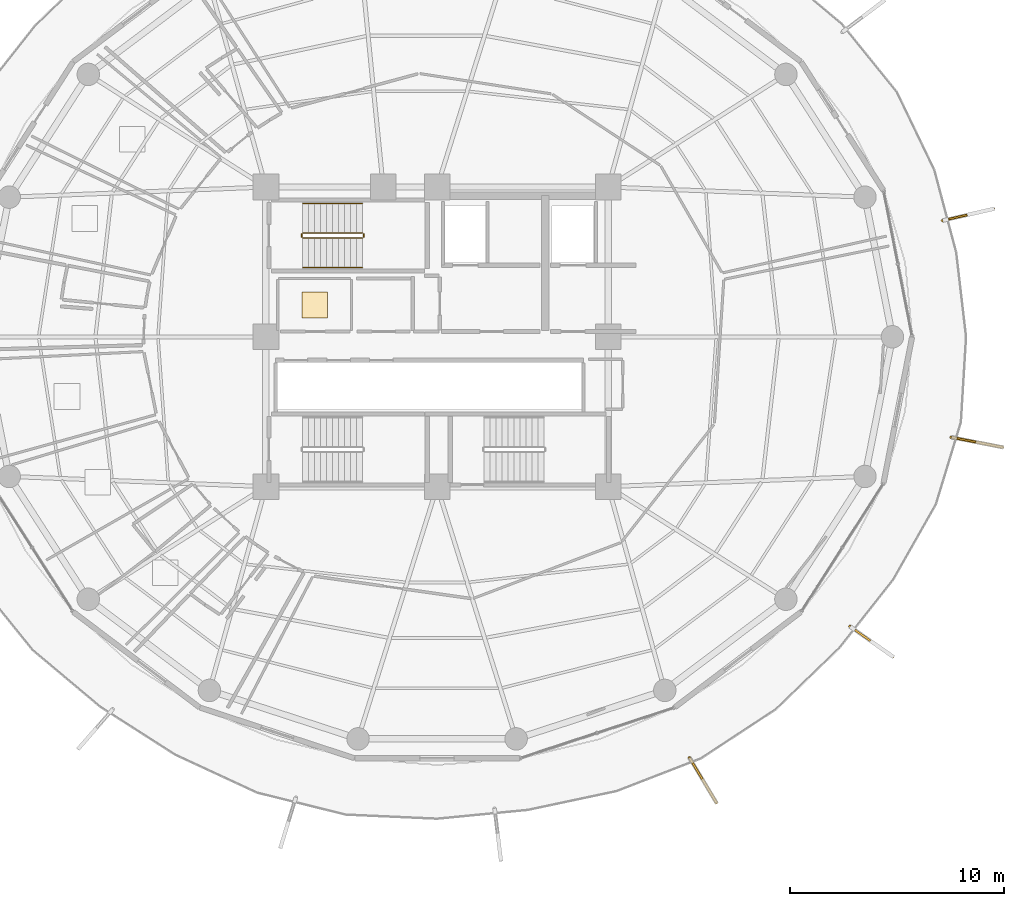
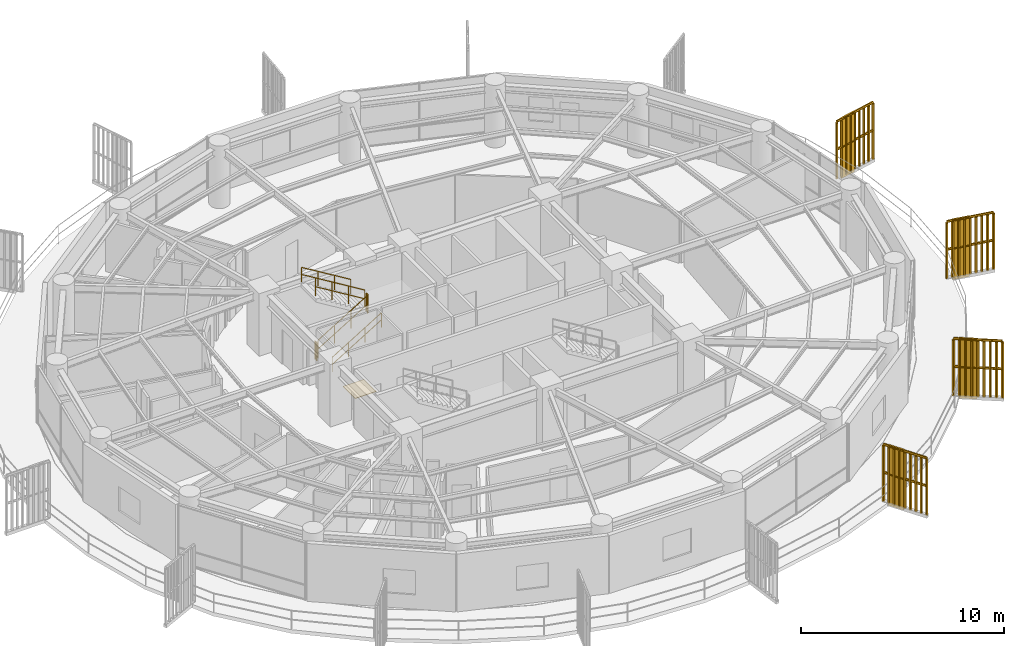
# One storey, part 30 of 31: 10 railings, 4 shading devices, 1 covering.
"""IFC4 building model written with IfcOpenShell, lengths in metres."""

from ifc_helpers import new_model, si_unit, direction, frame, origin, origin_2d, place, context, subcontext, project, spatial, polyline, rectangle, outline, extrude, source, transform, mapped, material, layer, layer_set, type_object, element, save


model = new_model("IFC4")

# Units and contexts
model_context = context("Model", 3, precision=1e-05, world=origin(), true_north=direction((0.0, 1.0)))
body_context = subcontext(model_context, "Body", "Model", "MODEL_VIEW")
ifc_project = project(units=[si_unit("LENGTHUNIT", "METRE"), si_unit("AREAUNIT", "SQUARE_METRE"), si_unit("VOLUMEUNIT", "CUBIC_METRE"), si_unit("PLANEANGLEUNIT", "RADIAN"), si_unit("MASSUNIT", "GRAM", prefix="KILO")], contexts=[model_context])

# Site, building, storey
site_placement = place(None, origin())
site = spatial("IfcSite", under=ifc_project, at=site_placement, CompositionType="ELEMENT")
building_placement = place(site_placement, origin())
building = spatial("IfcBuilding", under=site, at=building_placement, Name="Kelanora Arch Commons", CompositionType="ELEMENT")
storey_placement = place(building_placement, frame((0.0, 0.0, 200.699951171875)))
storey = spatial("IfcBuildingStorey", under=building, at=storey_placement, Name="L51", CompositionType="ELEMENT", Elevation=200.699951171875)

# Railings
ifc_material_1 = material(Name="Anodised bronze vertical shading fin rib assembly")
railing_type_1 = type_object("IfcRailingType", Name="RAIL-FIN-BRZ", PredefinedType="BALUSTRADE", material=ifc_material_1)
railing_1_placement = place(storey_placement, frame((93.299560546875, 44.460205078125, -0.02001953125)))
element("IfcRailing", 1, at=railing_1_placement, inside=storey, type_object=railing_type_1, Name="Sweeping Bronze Vertical Fin Blade L51-00", PredefinedType="BALUSTRADE", context=body_context, shape_type="SweptSolid", body=[
    extrude(outline(polyline([(0.06982421875, 0.0), (0.034912109375, 0.060546875), (-0.034912109375, 0.060546875), (-0.06982421875, 0.0), (-0.034912109375, -0.060546875), (0.034912109375, -0.060546875), (0.06982421875, 0.0)])), frame((0.0, 0.0, 3.419921875), z_axis=(0.81860809802, -0.574352489205, 0.0), x_axis=(0.574352489205, 0.81860809802, 0.0)), (0.0, 0.0, 1.0), 2.428955078125),
    extrude(outline(polyline([(0.06982421875, 0.0), (0.034912109375, 0.060546875), (-0.034912109375, 0.060546875), (-0.06982421875, 0.0), (-0.034912109375, -0.060546875), (0.034912109375, -0.060546875), (0.06982421875, 0.0)])), frame((0.0, 0.0, 1.7451171875), z_axis=(0.81860809802, -0.574352489205, 0.0), x_axis=(0.574352489205, 0.81860809802, 0.0)), (0.0, 0.0, 1.0), 2.428955078125),
    extrude(outline(polyline([(0.080078125, 0.0), (0.0400390625, 0.0693359375), (-0.0400390625, 0.0693359375), (-0.080078125, 0.0), (-0.0400390625, -0.0693359375), (0.0400390625, -0.0693359375), (0.080078125, 0.0)])), origin(), (0.0, 0.0, 1.0), 3.35009765625),
    extrude(outline(polyline([(0.080078125, 0.0), (0.0400390625, 0.0693359375), (-0.0400390625, 0.0693359375), (-0.080078125, 0.0), (-0.0400390625, -0.0693359375), (0.0400390625, -0.0693359375), (0.080078125, 0.0)])), frame((0.24853515625, -0.17431640625, 0.0)), (0.0, 0.0, 1.0), 3.35009765625),
    extrude(outline(polyline([(0.080078125, 0.0), (0.0400390625, 0.0693359375), (-0.0400390625, 0.0693359375), (-0.080078125, 0.0), (-0.0400390625, -0.0693359375), (0.0400390625, -0.0693359375), (0.080078125, 0.0)])), frame((0.4970703125, -0.3486328125, 0.0)), (0.0, 0.0, 1.0), 3.35009765625),
    extrude(outline(polyline([(0.080078125, 0.0), (0.0400390625, 0.0693359375), (-0.0400390625, 0.0693359375), (-0.080078125, 0.0), (-0.0400390625, -0.0693359375), (0.0400390625, -0.0693359375), (0.080078125, 0.0)])), frame((0.74560546875, -0.523193359375, 0.0)), (0.0, 0.0, 1.0), 3.35009765625),
    extrude(outline(polyline([(0.080078125, 0.0), (0.0400390625, 0.0693359375), (-0.0400390625, 0.0693359375), (-0.080078125, 0.0), (-0.0400390625, -0.0693359375), (0.0400390625, -0.0693359375), (0.080078125, 0.0)])), frame((0.994140625, -0.697509765625, 0.0)), (0.0, 0.0, 1.0), 3.35009765625),
    extrude(outline(polyline([(0.080078125, 0.0), (0.0400390625, 0.0693359375), (-0.0400390625, 0.0693359375), (-0.080078125, 0.0), (-0.0400390625, -0.0693359375), (0.0400390625, -0.0693359375), (0.080078125, 0.0)])), frame((1.24267578125, -0.871826171875, 0.0)), (0.0, 0.0, 1.0), 3.35009765625),
    extrude(outline(polyline([(0.080078125, 0.0), (0.0400390625, 0.0693359375), (-0.0400390625, 0.0693359375), (-0.080078125, 0.0), (-0.0400390625, -0.0693359375), (0.0400390625, -0.0693359375), (0.080078125, 0.0)])), frame((1.4912109375, -1.04638671875, 0.0)), (0.0, 0.0, 1.0), 3.35009765625),
    extrude(outline(polyline([(0.080078125, 0.0), (0.0400390625, 0.0693359375), (-0.0400390625, 0.0693359375), (-0.080078125, 0.0), (-0.0400390625, -0.0693359375), (0.0400390625, -0.0693359375), (0.080078125, 0.0)])), frame((1.73974609375, -1.220703125, 0.0)), (0.0, 0.0, 1.0), 3.35009765625),
    extrude(outline(polyline([(0.080078125, 0.0), (0.0400390625, 0.0693359375), (-0.0400390625, 0.0693359375), (-0.080078125, 0.0), (-0.0400390625, -0.0693359375), (0.0400390625, -0.0693359375), (0.080078125, 0.0)])), frame((1.98828125, -1.39501953125, 0.0)), (0.0, 0.0, 1.0), 3.35009765625),
])
railing_2_placement = place(storey_placement, frame((98.029296875, 53.306640625, -0.02001953125)))
element("IfcRailing", 2, at=railing_2_placement, inside=storey, type_object=railing_type_1, Name="Sweeping Bronze Vertical Fin Blade L51-01", PredefinedType="BALUSTRADE", context=body_context, shape_type="SweptSolid", body=[
    extrude(outline(polyline([(0.06982421875, 0.0), (0.034912109375, 0.060546875), (-0.034912109375, 0.060546875), (-0.06982421875, 0.0), (-0.034912109375, -0.060546875), (0.034912109375, -0.060546875), (0.06982421875, 0.0)])), frame((0.0, 0.0, 3.419921875), z_axis=(0.98145601404, -0.19168748656, 0.0), x_axis=(0.19168748656, 0.98145601404, 0.0)), (0.0, 0.0, 1.0), 2.4287109375),
    extrude(outline(polyline([(0.06982421875, 0.0), (0.034912109375, 0.060546875), (-0.034912109375, 0.060546875), (-0.06982421875, 0.0), (-0.034912109375, -0.060546875), (0.034912109375, -0.060546875), (0.06982421875, 0.0)])), frame((0.0, 0.0, 1.7451171875), z_axis=(0.98145601404, -0.19168748656, 0.0), x_axis=(0.19168748656, 0.98145601404, 0.0)), (0.0, 0.0, 1.0), 2.4287109375),
    extrude(outline(polyline([(0.080078125, 0.0), (0.0400390625, 0.0693359375), (-0.0400390625, 0.0693359375), (-0.080078125, 0.0), (-0.0400390625, -0.0693359375), (0.0400390625, -0.0693359375), (0.080078125, 0.0)])), origin(), (0.0, 0.0, 1.0), 3.35009765625),
    extrude(outline(polyline([(0.080078125, 0.0), (0.0400390625, 0.0693359375), (-0.0400390625, 0.0693359375), (-0.080078125, 0.0), (-0.0400390625, -0.0693359375), (0.0400390625, -0.0693359375), (0.080078125, 0.0)])), frame((0.2978515625, -0.05810546875, 0.0)), (0.0, 0.0, 1.0), 3.35009765625),
    extrude(outline(polyline([(0.080078125, 0.0), (0.0400390625, 0.0693359375), (-0.0400390625, 0.0693359375), (-0.080078125, 0.0), (-0.0400390625, -0.0693359375), (0.0400390625, -0.0693359375), (0.080078125, 0.0)])), frame((0.595947265625, -0.116455078125, 0.0)), (0.0, 0.0, 1.0), 3.35009765625),
    extrude(outline(polyline([(0.080078125, 0.0), (0.0400390625, 0.0693359375), (-0.0400390625, 0.0693359375), (-0.080078125, 0.0), (-0.0400390625, -0.0693359375), (0.0400390625, -0.0693359375), (0.080078125, 0.0)])), frame((0.89404296875, -0.174560546875, 0.0)), (0.0, 0.0, 1.0), 3.35009765625),
    extrude(outline(polyline([(0.080078125, 0.0), (0.0400390625, 0.0693359375), (-0.0400390625, 0.0693359375), (-0.080078125, 0.0), (-0.0400390625, -0.0693359375), (0.0400390625, -0.0693359375), (0.080078125, 0.0)])), frame((1.19189453125, -0.23291015625, 0.0)), (0.0, 0.0, 1.0), 3.35009765625),
    extrude(outline(polyline([(0.080078125, 0.0), (0.0400390625, 0.0693359375), (-0.0400390625, 0.0693359375), (-0.080078125, 0.0), (-0.0400390625, -0.0693359375), (0.0400390625, -0.0693359375), (0.080078125, 0.0)])), frame((1.48974609375, -0.291015625, 0.0)), (0.0, 0.0, 1.0), 3.35009765625),
    extrude(outline(polyline([(0.080078125, 0.0), (0.0400390625, 0.0693359375), (-0.0400390625, 0.0693359375), (-0.080078125, 0.0), (-0.0400390625, -0.0693359375), (0.0400390625, -0.0693359375), (0.080078125, 0.0)])), frame((1.787841796875, -0.34912109375, 0.0)), (0.0, 0.0, 1.0), 3.35009765625),
    extrude(outline(polyline([(0.080078125, 0.0), (0.0400390625, 0.0693359375), (-0.0400390625, 0.0693359375), (-0.080078125, 0.0), (-0.0400390625, -0.0693359375), (0.0400390625, -0.0693359375), (0.080078125, 0.0)])), frame((2.0859375, -0.407470703125, 0.0)), (0.0, 0.0, 1.0), 3.35009765625),
    extrude(outline(polyline([(0.080078125, 0.0), (0.0400390625, 0.0693359375), (-0.0400390625, 0.0693359375), (-0.080078125, 0.0), (-0.0400390625, -0.0693359375), (0.0400390625, -0.0693359375), (0.080078125, 0.0)])), frame((2.3837890625, -0.465576171875, 0.0)), (0.0, 0.0, 1.0), 3.35009765625),
])
railing_3_placement = place(storey_placement, frame((97.632080078125, 63.433349609375, -0.02001953125)))
element("IfcRailing", 3, at=railing_3_placement, inside=storey, type_object=railing_type_1, Name="Sweeping Bronze Vertical Fin Blade L51-02", PredefinedType="BALUSTRADE", context=body_context, shape_type="SweptSolid", body=[
    extrude(outline(polyline([(0.06982421875, 0.0), (0.034912109375, 0.060546875), (-0.034912109375, 0.060546875), (-0.06982421875, 0.0), (-0.034912109375, -0.060546875), (0.034912109375, -0.060546875), (0.06982421875, 0.0)])), frame((0.0, 0.0, 3.419921875), z_axis=(0.97457889429, 0.224044591107, 0.0), x_axis=(-0.224044591107, 0.97457889429, 0.0)), (0.0, 0.0, 1.0), 2.428955078125),
    extrude(outline(polyline([(0.06982421875, 0.0), (0.034912109375, 0.060546875), (-0.034912109375, 0.060546875), (-0.06982421875, 0.0), (-0.034912109375, -0.060546875), (0.034912109375, -0.060546875), (0.06982421875, 0.0)])), frame((0.0, 0.0, 1.7451171875), z_axis=(0.97457889429, 0.224044591107, 0.0), x_axis=(-0.224044591107, 0.97457889429, 0.0)), (0.0, 0.0, 1.0), 2.428955078125),
    extrude(outline(polyline([(0.080078125, 0.0), (0.0400390625, 0.0693359375), (-0.0400390625, 0.0693359375), (-0.080078125, 0.0), (-0.0400390625, -0.0693359375), (0.0400390625, -0.0693359375), (0.080078125, 0.0)])), origin(), (0.0, 0.0, 1.0), 3.35009765625),
    extrude(outline(polyline([(0.080078125, 0.0), (0.0400390625, 0.0693359375), (-0.0400390625, 0.0693359375), (-0.080078125, 0.0), (-0.0400390625, -0.0693359375), (0.0400390625, -0.0693359375), (0.080078125, 0.0)])), frame((0.2958984375, 0.068115234375, 0.0)), (0.0, 0.0, 1.0), 3.35009765625),
    extrude(outline(polyline([(0.080078125, 0.0), (0.0400390625, 0.0693359375), (-0.0400390625, 0.0693359375), (-0.080078125, 0.0), (-0.0400390625, -0.0693359375), (0.0400390625, -0.0693359375), (0.080078125, 0.0)])), frame((0.591796875, 0.135986328125, 0.0)), (0.0, 0.0, 1.0), 3.35009765625),
    extrude(outline(polyline([(0.080078125, 0.0), (0.0400390625, 0.0693359375), (-0.0400390625, 0.0693359375), (-0.080078125, 0.0), (-0.0400390625, -0.0693359375), (0.0400390625, -0.0693359375), (0.080078125, 0.0)])), frame((0.8876953125, 0.2041015625, 0.0)), (0.0, 0.0, 1.0), 3.35009765625),
    extrude(outline(polyline([(0.080078125, 0.0), (0.0400390625, 0.0693359375), (-0.0400390625, 0.0693359375), (-0.080078125, 0.0), (-0.0400390625, -0.0693359375), (0.0400390625, -0.0693359375), (0.080078125, 0.0)])), frame((1.18359375, 0.27197265625, 0.0)), (0.0, 0.0, 1.0), 3.35009765625),
    extrude(outline(polyline([(0.080078125, 0.0), (0.0400390625, 0.0693359375), (-0.0400390625, 0.0693359375), (-0.080078125, 0.0), (-0.0400390625, -0.0693359375), (0.0400390625, -0.0693359375), (0.080078125, 0.0)])), frame((1.4794921875, 0.340087890625, 0.0)), (0.0, 0.0, 1.0), 3.35009765625),
    extrude(outline(polyline([(0.080078125, 0.0), (0.0400390625, 0.0693359375), (-0.0400390625, 0.0693359375), (-0.080078125, 0.0), (-0.0400390625, -0.0693359375), (0.0400390625, -0.0693359375), (0.080078125, 0.0)])), frame((1.775390625, 0.408203125, 0.0)), (0.0, 0.0, 1.0), 3.35009765625),
    extrude(outline(polyline([(0.080078125, 0.0), (0.0400390625, 0.0693359375), (-0.0400390625, 0.0693359375), (-0.080078125, 0.0), (-0.0400390625, -0.0693359375), (0.0400390625, -0.0693359375), (0.080078125, 0.0)])), frame((2.0712890625, 0.47607421875, 0.0)), (0.0, 0.0, 1.0), 3.35009765625),
    extrude(outline(polyline([(0.080078125, 0.0), (0.0400390625, 0.0693359375), (-0.0400390625, 0.0693359375), (-0.080078125, 0.0), (-0.0400390625, -0.0693359375), (0.0400390625, -0.0693359375), (0.080078125, 0.0)])), frame((2.3671875, 0.544189453125, 0.0)), (0.0, 0.0, 1.0), 3.35009765625),
])
railing_4_placement = place(storey_placement, frame((85.795166015625, 38.3291015625, -0.02001953125)))
element("IfcRailing", 4, at=railing_4_placement, inside=storey, type_object=railing_type_1, Name="Sweeping Bronze Vertical Fin Blade L51-14", PredefinedType="BALUSTRADE", context=body_context, shape_type="SweptSolid", body=[
    extrude(outline(polyline([(0.06982421875, 0.0), (0.034912109375, 0.060546875), (-0.034912109375, 0.060546875), (-0.06982421875, 0.0), (-0.034912109375, -0.060546875), (0.034912109375, -0.060546875), (0.06982421875, 0.0)])), frame((0.0, 0.0, 3.419921875), z_axis=(0.514259218716, -0.857634803378, 0.0), x_axis=(0.857634803378, 0.514259218716, 0.0)), (0.0, 0.0, 1.0), 2.4287109375),
    extrude(outline(polyline([(0.06982421875, 0.0), (0.034912109375, 0.060546875), (-0.034912109375, 0.060546875), (-0.06982421875, 0.0), (-0.034912109375, -0.060546875), (0.034912109375, -0.060546875), (0.06982421875, 0.0)])), frame((0.0, 0.0, 1.7451171875), z_axis=(0.514259218716, -0.857634803378, 0.0), x_axis=(0.857634803378, 0.514259218716, 0.0)), (0.0, 0.0, 1.0), 2.4287109375),
    extrude(outline(polyline([(0.080078125, 0.0), (0.0400390625, 0.0693359375), (-0.0400390625, 0.0693359375), (-0.080078125, 0.0), (-0.0400390625, -0.0693359375), (0.0400390625, -0.0693359375), (0.080078125, 0.0)])), origin(), (0.0, 0.0, 1.0), 3.35009765625),
    extrude(outline(polyline([(0.080078125, 0.0), (0.0400390625, 0.0693359375), (-0.0400390625, 0.0693359375), (-0.080078125, 0.0), (-0.0400390625, -0.0693359375), (0.0400390625, -0.0693359375), (0.080078125, 0.0)])), frame((0.15625, -0.26025390625, 0.0)), (0.0, 0.0, 1.0), 3.35009765625),
    extrude(outline(polyline([(0.080078125, 0.0), (0.0400390625, 0.0693359375), (-0.0400390625, 0.0693359375), (-0.080078125, 0.0), (-0.0400390625, -0.0693359375), (0.0400390625, -0.0693359375), (0.080078125, 0.0)])), frame((0.312255859375, -0.520751953125, 0.0)), (0.0, 0.0, 1.0), 3.35009765625),
    extrude(outline(polyline([(0.080078125, 0.0), (0.0400390625, 0.0693359375), (-0.0400390625, 0.0693359375), (-0.080078125, 0.0), (-0.0400390625, -0.0693359375), (0.0400390625, -0.0693359375), (0.080078125, 0.0)])), frame((0.46826171875, -0.78125, 0.0)), (0.0, 0.0, 1.0), 3.35009765625),
    extrude(outline(polyline([(0.080078125, 0.0), (0.0400390625, 0.0693359375), (-0.0400390625, 0.0693359375), (-0.080078125, 0.0), (-0.0400390625, -0.0693359375), (0.0400390625, -0.0693359375), (0.080078125, 0.0)])), frame((0.62451171875, -1.04150390625, 0.0)), (0.0, 0.0, 1.0), 3.35009765625),
    extrude(outline(polyline([(0.080078125, 0.0), (0.0400390625, 0.0693359375), (-0.0400390625, 0.0693359375), (-0.080078125, 0.0), (-0.0400390625, -0.0693359375), (0.0400390625, -0.0693359375), (0.080078125, 0.0)])), frame((0.78076171875, -1.3017578125, 0.0)), (0.0, 0.0, 1.0), 3.35009765625),
    extrude(outline(polyline([(0.080078125, 0.0), (0.0400390625, 0.0693359375), (-0.0400390625, 0.0693359375), (-0.080078125, 0.0), (-0.0400390625, -0.0693359375), (0.0400390625, -0.0693359375), (0.080078125, 0.0)])), frame((0.936767578125, -1.562255859375, 0.0)), (0.0, 0.0, 1.0), 3.35009765625),
    extrude(outline(polyline([(0.080078125, 0.0), (0.0400390625, 0.0693359375), (-0.0400390625, 0.0693359375), (-0.080078125, 0.0), (-0.0400390625, -0.0693359375), (0.0400390625, -0.0693359375), (0.080078125, 0.0)])), frame((1.0927734375, -1.82275390625, 0.0)), (0.0, 0.0, 1.0), 3.35009765625),
    extrude(outline(polyline([(0.080078125, 0.0), (0.0400390625, 0.0693359375), (-0.0400390625, 0.0693359375), (-0.080078125, 0.0), (-0.0400390625, -0.0693359375), (0.0400390625, -0.0693359375), (0.080078125, 0.0)])), frame((1.2490234375, -2.0830078125, 0.0)), (0.0, 0.0, 1.0), 3.35009765625),
])
ifc_material_2 = material(Name="Painted steel stair well guard", Category="steel")
railing_type_2 = type_object("IfcRailingType", Name="RAIL-STAIR-GRD", PredefinedType="GUARDRAIL", material=ifc_material_2)
railing_5_placement = place(storey_placement, frame((67.719970703125, 62.610107421875, 0.17041015625)))
element("IfcRailing", 5, at=railing_5_placement, inside=storey, type_object=railing_type_2, Name="L51 ST-T1 stair guard 1", PredefinedType="GUARDRAIL", context=body_context, shape_type="SweptSolid", body=[
    extrude(outline(polyline([(0.02392578125, 0.0), (0.011962890625, 0.020751953125), (-0.011962890625, 0.020751953125), (-0.02392578125, 0.0), (-0.011962890625, -0.020751953125), (0.011962890625, -0.020751953125), (0.02392578125, 0.0)])), frame((0.0, 0.0, 1.076171875), z_axis=(0.854169791009, 0.0, 0.51999420009), x_axis=(0.0, 1.0, 0.0)), (0.0, 0.0, 1.0), 3.278076171875),
    extrude(outline(polyline([(0.02392578125, 0.0), (0.011962890625, 0.020751953125), (-0.011962890625, 0.020751953125), (-0.02392578125, 0.0), (-0.011962890625, -0.020751953125), (0.011962890625, -0.020751953125), (0.02392578125, 0.0)])), frame((0.0, 0.0, 0.550048828125), z_axis=(0.854169791009, 0.0, 0.51999420009), x_axis=(0.0, 1.0, 0.0)), (0.0, 0.0, 1.0), 3.278076171875),
    extrude(outline(polyline([(0.02099609375, 0.0), (0.010498046875, 0.01806640625), (-0.010498046875, 0.01806640625), (-0.02099609375, 0.0), (-0.010498046875, -0.01806640625), (0.010498046875, -0.01806640625), (0.02099609375, 0.0)])), origin(), (0.0, 0.0, 1.0), 1.052001953125),
    extrude(outline(polyline([(0.02099609375, 0.0), (0.010498046875, 0.01806640625), (-0.010498046875, 0.01806640625), (-0.02099609375, 0.0), (-0.010498046875, -0.01806640625), (0.010498046875, -0.01806640625), (0.02099609375, 0.0)])), frame((0.933349609375, 0.0, 0.568115234375)), (0.0, 0.0, 1.0), 1.052001953125),
    extrude(outline(polyline([(0.02099609375, 0.0), (0.010498046875, 0.01806640625), (-0.010498046875, 0.01806640625), (-0.02099609375, 0.0), (-0.010498046875, -0.01806640625), (0.010498046875, -0.01806640625), (0.02099609375, 0.0)])), frame((1.86669921875, 0.0, 1.136474609375)), (0.0, 0.0, 1.0), 1.052001953125),
    extrude(outline(polyline([(0.02099609375, 0.0), (0.010498046875, 0.01806640625), (-0.010498046875, 0.01806640625), (-0.02099609375, 0.0), (-0.010498046875, -0.01806640625), (0.010498046875, -0.01806640625), (0.02099609375, 0.0)])), frame((2.800048828125, 0.0, 1.70458984375)), (0.0, 0.0, 1.0), 1.052001953125),
])
railing_6_placement = place(storey_placement, frame((70.570068359375, 62.659912109375, 1.875)))
element("IfcRailing", 6, at=railing_6_placement, inside=storey, type_object=railing_type_2, Name="L51 ST-T1 stair guard 2", PredefinedType="GUARDRAIL", context=body_context, shape_type="SweptSolid", body=[
    extrude(outline(polyline([(0.02392578125, 0.0), (0.011962890625, 0.020751953125), (-0.011962890625, 0.020751953125), (-0.02392578125, 0.0), (-0.011962890625, -0.020751953125), (0.011962890625, -0.020751953125), (0.02392578125, 0.0)])), frame((0.0, 0.0, 1.076171875), z_axis=(0.0, 1.0, 0.0), x_axis=(-1.0, 0.0, 0.0)), (0.0, 0.0, 1.0), 0.150146484375),
    extrude(outline(polyline([(0.02392578125, 0.0), (0.011962890625, 0.020751953125), (-0.011962890625, 0.020751953125), (-0.02392578125, 0.0), (-0.011962890625, -0.020751953125), (0.011962890625, -0.020751953125), (0.02392578125, 0.0)])), frame((0.0, 0.0, 0.550048828125), z_axis=(0.0, 1.0, 0.0), x_axis=(-1.0, 0.0, 0.0)), (0.0, 0.0, 1.0), 0.150146484375),
    extrude(outline(polyline([(0.02099609375, 0.0), (0.010498046875, 0.01806640625), (-0.010498046875, 0.01806640625), (-0.02099609375, 0.0), (-0.010498046875, -0.01806640625), (0.010498046875, -0.01806640625), (0.02099609375, 0.0)])), origin(), (0.0, 0.0, 1.0), 1.052001953125),
    extrude(outline(polyline([(0.02099609375, 0.0), (0.010498046875, 0.01806640625), (-0.010498046875, 0.01806640625), (-0.02099609375, 0.0), (-0.010498046875, -0.01806640625), (0.010498046875, -0.01806640625), (0.02099609375, 0.0)])), frame((0.0, 0.150146484375, 0.0)), (0.0, 0.0, 1.0), 1.052001953125),
])
railing_7_placement = place(storey_placement, frame((70.52001953125, 62.860107421875, 2.04541015625)))
element("IfcRailing", 7, at=railing_7_placement, inside=storey, type_object=railing_type_2, Name="L51 ST-T1 stair guard 3", PredefinedType="GUARDRAIL", context=body_context, shape_type="SweptSolid", body=[
    extrude(outline(polyline([(0.02392578125, 0.0), (0.011962890625, 0.020751953125), (-0.011962890625, 0.020751953125), (-0.02392578125, 0.0), (-0.011962890625, -0.020751953125), (0.011962890625, -0.020751953125), (0.02392578125, 0.0)])), frame((0.0, 0.0, 1.076171875), z_axis=(-0.854169791009, 0.0, 0.51999420009), x_axis=(0.0, -1.0, 0.0)), (0.0, 0.0, 1.0), 3.278076171875),
    extrude(outline(polyline([(0.02392578125, 0.0), (0.011962890625, 0.020751953125), (-0.011962890625, 0.020751953125), (-0.02392578125, 0.0), (-0.011962890625, -0.020751953125), (0.011962890625, -0.020751953125), (0.02392578125, 0.0)])), frame((0.0, 0.0, 0.550048828125), z_axis=(-0.854169791009, 0.0, 0.51999420009), x_axis=(0.0, -1.0, 0.0)), (0.0, 0.0, 1.0), 3.278076171875),
    extrude(outline(polyline([(0.02099609375, 0.0), (0.010498046875, 0.01806640625), (-0.010498046875, 0.01806640625), (-0.02099609375, 0.0), (-0.010498046875, -0.01806640625), (0.010498046875, -0.01806640625), (0.02099609375, 0.0)])), origin(), (0.0, 0.0, 1.0), 1.052001953125),
    extrude(outline(polyline([(0.02099609375, 0.0), (0.010498046875, 0.01806640625), (-0.010498046875, 0.01806640625), (-0.02099609375, 0.0), (-0.010498046875, -0.01806640625), (0.010498046875, -0.01806640625), (0.02099609375, 0.0)])), frame((-0.933349609375, 0.0, 0.568115234375)), (0.0, 0.0, 1.0), 1.052001953125),
    extrude(outline(polyline([(0.02099609375, 0.0), (0.010498046875, 0.01806640625), (-0.010498046875, 0.01806640625), (-0.02099609375, 0.0), (-0.010498046875, -0.01806640625), (0.010498046875, -0.01806640625), (0.02099609375, 0.0)])), frame((-1.86669921875, 0.0, 1.136474609375)), (0.0, 0.0, 1.0), 1.052001953125),
    extrude(outline(polyline([(0.02099609375, 0.0), (0.010498046875, 0.01806640625), (-0.010498046875, 0.01806640625), (-0.02099609375, 0.0), (-0.010498046875, -0.01806640625), (0.010498046875, -0.01806640625), (0.02099609375, 0.0)])), frame((-2.800048828125, 0.0, 1.70458984375)), (0.0, 0.0, 1.0), 1.052001953125),
])
railing_8_placement = place(storey_placement, frame((67.669921875, 62.659912109375, 0.0)))
element("IfcRailing", 8, at=railing_8_placement, inside=storey, type_object=railing_type_2, Name="L51 ST-T1 stair guard 4", PredefinedType="GUARDRAIL", context=body_context, shape_type="SweptSolid", body=[
    extrude(outline(polyline([(0.02392578125, 0.0), (0.011962890625, 0.020751953125), (-0.011962890625, 0.020751953125), (-0.02392578125, 0.0), (-0.011962890625, -0.020751953125), (0.011962890625, -0.020751953125), (0.02392578125, 0.0)])), frame((0.0, 0.0, 1.076171875), z_axis=(0.0, 1.0, 0.0), x_axis=(-1.0, 0.0, 0.0)), (0.0, 0.0, 1.0), 0.150146484375),
    extrude(outline(polyline([(0.02392578125, 0.0), (0.011962890625, 0.020751953125), (-0.011962890625, 0.020751953125), (-0.02392578125, 0.0), (-0.011962890625, -0.020751953125), (0.011962890625, -0.020751953125), (0.02392578125, 0.0)])), frame((0.0, 0.0, 0.550048828125), z_axis=(0.0, 1.0, 0.0), x_axis=(-1.0, 0.0, 0.0)), (0.0, 0.0, 1.0), 0.150146484375),
    extrude(outline(polyline([(0.02099609375, 0.0), (0.010498046875, 0.01806640625), (-0.010498046875, 0.01806640625), (-0.02099609375, 0.0), (-0.010498046875, -0.01806640625), (0.010498046875, -0.01806640625), (0.02099609375, 0.0)])), origin(), (0.0, 0.0, 1.0), 1.052001953125),
    extrude(outline(polyline([(0.02099609375, 0.0), (0.010498046875, 0.01806640625), (-0.010498046875, 0.01806640625), (-0.02099609375, 0.0), (-0.010498046875, -0.01806640625), (0.010498046875, -0.01806640625), (0.02099609375, 0.0)])), frame((0.0, 0.150146484375, 0.0)), (0.0, 0.0, 1.0), 1.052001953125),
])
ifc_material_3 = material(Name="Brushed stainless steel stair handrail", Category="steel")
railing_type_3 = type_object("IfcRailingType", Name="RAIL-STAIR-HND", PredefinedType="HANDRAIL", material=ifc_material_3)
railing_9_placement = place(storey_placement, frame((67.719970703125, 61.22998046875, 0.17041015625)))
element("IfcRailing", 9, at=railing_9_placement, inside=storey, type_object=railing_type_3, Name="L51 ST-T1 stair handrail 1", PredefinedType="HANDRAIL", context=body_context, shape_type="SweptSolid", body=[
    extrude(outline(polyline([(0.02392578125, 0.0), (0.011962890625, 0.020751953125), (-0.011962890625, 0.020751953125), (-0.02392578125, 0.0), (-0.011962890625, -0.020751953125), (0.011962890625, -0.020751953125), (0.02392578125, 0.0)])), frame((0.0, 0.0, 0.8759765625), z_axis=(0.854169791009, 0.0, 0.51999420009), x_axis=(0.0, 1.0, 0.0)), (0.0, 0.0, 1.0), 3.278076171875),
    extrude(outline(polyline([(0.02392578125, 0.0), (0.011962890625, 0.020751953125), (-0.011962890625, 0.020751953125), (-0.02392578125, 0.0), (-0.011962890625, -0.020751953125), (0.011962890625, -0.020751953125), (0.02392578125, 0.0)])), frame((0.0, 0.0, 0.449951171875), z_axis=(0.854169791009, 0.0, 0.51999420009), x_axis=(0.0, 1.0, 0.0)), (0.0, 0.0, 1.0), 3.278076171875),
    extrude(outline(polyline([(0.02099609375, 0.0), (0.010498046875, 0.01806640625), (-0.010498046875, 0.01806640625), (-0.02099609375, 0.0), (-0.010498046875, -0.01806640625), (0.010498046875, -0.01806640625), (0.02099609375, 0.0)])), origin(), (0.0, 0.0, 1.0), 0.851806640625),
    extrude(outline(polyline([(0.02099609375, 0.0), (0.010498046875, 0.01806640625), (-0.010498046875, 0.01806640625), (-0.02099609375, 0.0), (-0.010498046875, -0.01806640625), (0.010498046875, -0.01806640625), (0.02099609375, 0.0)])), frame((0.933349609375, 0.0, 0.568115234375)), (0.0, 0.0, 1.0), 0.851806640625),
    extrude(outline(polyline([(0.02099609375, 0.0), (0.010498046875, 0.01806640625), (-0.010498046875, 0.01806640625), (-0.02099609375, 0.0), (-0.010498046875, -0.01806640625), (0.010498046875, -0.01806640625), (0.02099609375, 0.0)])), frame((1.86669921875, 0.0, 1.136474609375)), (0.0, 0.0, 1.0), 0.851806640625),
    extrude(outline(polyline([(0.02099609375, 0.0), (0.010498046875, 0.01806640625), (-0.010498046875, 0.01806640625), (-0.02099609375, 0.0), (-0.010498046875, -0.01806640625), (0.010498046875, -0.01806640625), (0.02099609375, 0.0)])), frame((2.800048828125, 0.0, 1.70458984375)), (0.0, 0.0, 1.0), 0.851806640625),
])
railing_10_placement = place(storey_placement, frame((70.52001953125, 64.239990234375, 2.04541015625)))
element("IfcRailing", 10, at=railing_10_placement, inside=storey, type_object=railing_type_3, Name="L51 ST-T1 stair handrail 2", PredefinedType="HANDRAIL", context=body_context, shape_type="SweptSolid", body=[
    extrude(outline(polyline([(0.02392578125, 0.0), (0.011962890625, 0.020751953125), (-0.011962890625, 0.020751953125), (-0.02392578125, 0.0), (-0.011962890625, -0.020751953125), (0.011962890625, -0.020751953125), (0.02392578125, 0.0)])), frame((0.0, 0.0, 0.8759765625), z_axis=(-0.854169791009, 0.0, 0.51999420009), x_axis=(0.0, -1.0, 0.0)), (0.0, 0.0, 1.0), 3.278076171875),
    extrude(outline(polyline([(0.02392578125, 0.0), (0.011962890625, 0.020751953125), (-0.011962890625, 0.020751953125), (-0.02392578125, 0.0), (-0.011962890625, -0.020751953125), (0.011962890625, -0.020751953125), (0.02392578125, 0.0)])), frame((0.0, 0.0, 0.449951171875), z_axis=(-0.854169791009, 0.0, 0.51999420009), x_axis=(0.0, -1.0, 0.0)), (0.0, 0.0, 1.0), 3.278076171875),
    extrude(outline(polyline([(0.02099609375, 0.0), (0.010498046875, 0.01806640625), (-0.010498046875, 0.01806640625), (-0.02099609375, 0.0), (-0.010498046875, -0.01806640625), (0.010498046875, -0.01806640625), (0.02099609375, 0.0)])), origin(), (0.0, 0.0, 1.0), 0.851806640625),
    extrude(outline(polyline([(0.02099609375, 0.0), (0.010498046875, 0.01806640625), (-0.010498046875, 0.01806640625), (-0.02099609375, 0.0), (-0.010498046875, -0.01806640625), (0.010498046875, -0.01806640625), (0.02099609375, 0.0)])), frame((-0.933349609375, 0.0, 0.568115234375)), (0.0, 0.0, 1.0), 0.851806640625),
    extrude(outline(polyline([(0.02099609375, 0.0), (0.010498046875, 0.01806640625), (-0.010498046875, 0.01806640625), (-0.02099609375, 0.0), (-0.010498046875, -0.01806640625), (0.010498046875, -0.01806640625), (0.02099609375, 0.0)])), frame((-1.86669921875, 0.0, 1.136474609375)), (0.0, 0.0, 1.0), 0.851806640625),
    extrude(outline(polyline([(0.02099609375, 0.0), (0.010498046875, 0.01806640625), (-0.010498046875, 0.01806640625), (-0.02099609375, 0.0), (-0.010498046875, -0.01806640625), (0.010498046875, -0.01806640625), (0.02099609375, 0.0)])), frame((-2.800048828125, 0.0, 1.70458984375)), (0.0, 0.0, 1.0), 0.851806640625),
])

# Shading devices
ifc_material_4 = material(Name="Terracotta ceramic-clad extruded aluminium fin", Category="masonry")
shading_device_type = type_object("IfcShadingDeviceType", Name="SHD-FIN-FLARE", PredefinedType="USERDEFINED", material=ifc_material_4)
shared_shape_1 = source(origin(), body_context, "Body", "SweptSolid", [
    extrude(rectangle(XDim=0.8798828125, YDim=0.090087890625, at=origin_2d()), origin(), (0.0, 0.0, 1.0), 3.610107421875),
])
for number, where, z_axis, x_axis, name in (
    (11, (93.888916015625, 44.046630859375, -0.14013671875), (0.0, 0.0, 1.0), (0.818651192576, -0.574291062871, 0.0), "Sweeping Terracotta Fin L51-00"),
    (12, (98.73583984375, 53.16845703125, -0.14013671875), (0.0, 0.0, 1.0), (0.981460297432, -0.191665553932, 0.0), "Sweeping Terracotta Fin L51-01"),
    (13, (98.333984375, 63.5947265625, -0.14013671875), (0.0, 0.0, 1.0), (0.974566000575, 0.224100670509, 0.0), "Sweeping Terracotta Fin L51-02"),
    (14, (86.165283203125, 37.711669921875, -0.14013671875), (0.0, 0.0, 1.0), (0.514289859311, -0.857616429769, 0.0), "Sweeping Terracotta Fin L51-14"),
):
    element("IfcShadingDevice", number, at=place(storey_placement, frame(where, z_axis=z_axis, x_axis=x_axis)), inside=storey, type_object=shading_device_type, Name=name, ObjectType="FIN", PredefinedType="USERDEFINED", context=body_context, shape_type="MappedRepresentation", body=[
        mapped(shared_shape_1, transform((0.0, 0.0, 0.0), scale=1.0)),
    ])

# Covering
ifc_material_5 = material(Name="Polished local granite terrazzo flooring", Category="masonry")
ifc_layer = layer(ifc_material_5, 0.030029296875)
ifc_layer_set = layer_set([ifc_layer], Name="Polished local granite terrazzo flooring")
covering_type = type_object("IfcCoveringType", Name="COV-FLR-TER", PredefinedType="FLOORING", material=ifc_layer_set)
shared_shape_2 = source(origin(), body_context, "Body", "SweptSolid", [
    extrude(rectangle(XDim=1.199951171875, YDim=1.199951171875, at=origin_2d()), origin(), (0.0, 0.0, 1.0), 0.030029296875),
])
covering_placement = place(storey_placement, frame((68.27490234375, 59.485107421875, 0.0), z_axis=(0.0, 0.0, 1.0), x_axis=(1.0, 0.0, 0.0)))
element("IfcCovering", 15, at=covering_placement, inside=storey, type_object=covering_type, Name="Reclaimed Core Quiet Phone Booths L51 Terrazzo Finish", PredefinedType="FLOORING", context=body_context, shape_type="MappedRepresentation", body=[
    mapped(shared_shape_2, transform((0.0, 0.0, 0.0), scale=1.0)),
])

save(model, "model.ifc")
